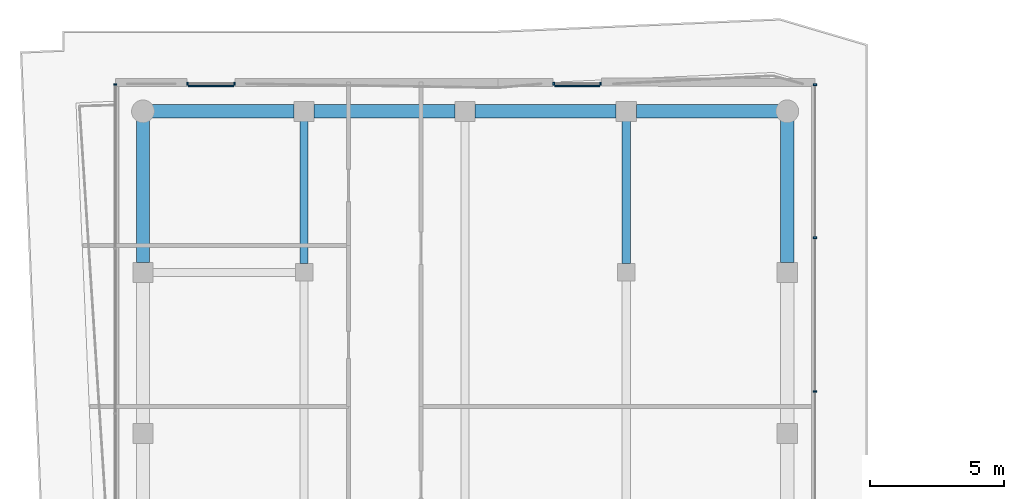
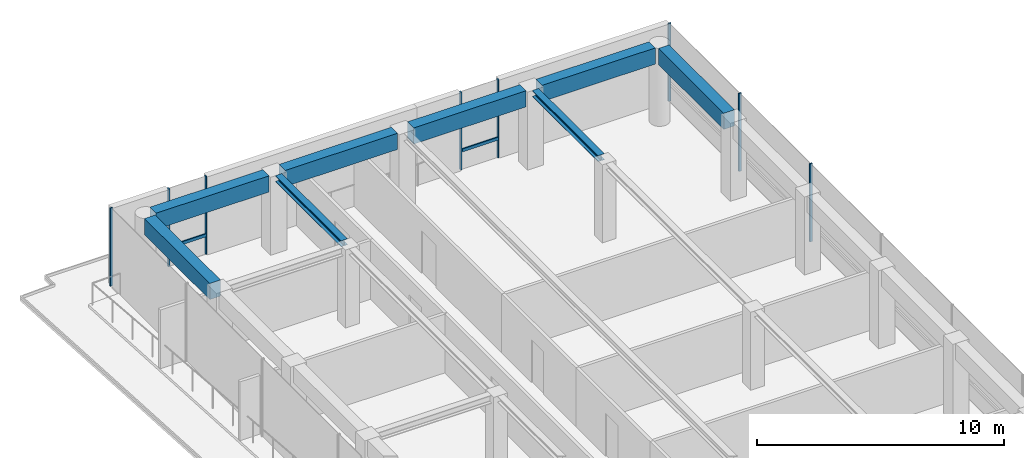
# One storey, part 14 of 20: 10 members, 8 beams, 4 elements without a shape of their own.
"""IFC4 building model written with IfcOpenShell, lengths in metres."""

from ifc_helpers import new_model, si_unit, direction, frame, origin, origin_2d, place, context, subcontext, project, spatial, rectangle, i_section, extrude, material, layer, layer_set, material_profile, profile_set, type_object, element, aggregate, save


model = new_model("IFC4")

# Units and contexts
model_context = context("Model", 3, precision=1e-05, world=origin(), true_north=direction((0.0, 1.0)))
body_context = subcontext(model_context, "Body", "Model", "MODEL_VIEW")
ifc_project = project(units=[si_unit("LENGTHUNIT", "METRE"), si_unit("AREAUNIT", "SQUARE_METRE"), si_unit("VOLUMEUNIT", "CUBIC_METRE"), si_unit("PLANEANGLEUNIT", "RADIAN"), si_unit("MASSUNIT", "GRAM", prefix="KILO")], contexts=[model_context])

# Site, building, storey
site_placement = place(None, origin())
site = spatial("IfcSite", under=ifc_project, at=site_placement, CompositionType="ELEMENT")
building_placement = place(site_placement, origin())
building = spatial("IfcBuilding", under=site, at=building_placement, Name="Welwitschia Terrace Campus", CompositionType="ELEMENT")
storey_placement = place(building_placement, frame((0.0, 0.0, 297.800048828125)))
storey = spatial("IfcBuildingStorey", under=building, at=storey_placement, Name="L66", CompositionType="ELEMENT", Elevation=297.800048828125)

# Beams
ifc_material_1 = material(Name="Steel S355", Category="steel")
ifc_material_profile_1 = material_profile(ifc_material_1, i_section(OverallWidth=0.300048828125, OverallDepth=0.300048828125, WebThickness=0.010986328125, FlangeThickness=0.01904296875, FilletRadius=0.027099609375, at=origin_2d()))
ifc_profile_set_1 = profile_set([ifc_material_profile_1], Name="Steel S355")
beam_type_1 = type_object("IfcBeamType", Name="Interior girder HE 300 B", PredefinedType="BEAM", material=ifc_profile_set_1)
for number, where, z_axis, x_axis, name in (
    (1, (6.0, 56.325439453125, 3.699951171875), (0.0, 1.0, 0.0), (-1.0, 0.0, 0.0), "Girder GB6"),
    (2, (18.0, 56.325439453125, 3.699951171875), (0.0, 1.0, 0.0), (-1.0, 0.0, 0.0), "Girder GB6"),
):
    element("IfcBeam", number, at=place(storey_placement, frame(where, z_axis=z_axis, x_axis=x_axis)), inside=storey, type_object=beam_type_1, Name=name, PredefinedType="BEAM", context=body_context, shape_type="SweptSolid", body=[
        extrude(i_section(OverallWidth=0.300048828125, OverallDepth=0.300048828125, WebThickness=0.010986328125, FlangeThickness=0.01904296875, FilletRadius=0.027099609375, at=origin_2d()), origin(), (0.0, 0.0, 1.0), 5.30908203125),
    ])

# Curtain wall, members
ifc_material_2 = material(Name="Bronze anodised aluminium", Category="aluminium")
ifc_layer = layer(ifc_material_2, 0.1201171875)
ifc_layer_set = layer_set([ifc_layer], Name="Bronze anodised aluminium")
curtain_wall_type = type_object("IfcCurtainWallType", Name="Curtain wall CW2 tower 6000", PredefinedType="NOTDEFINED", material=ifc_layer_set)
curtain_wall_1_placement = place(storey_placement, origin())
curtain_wall_1 = element("IfcCurtainWall", 3, at=curtain_wall_1_placement, inside=storey, type_object=curtain_wall_type, Name="CW L66.6.0", PredefinedType="NOTDEFINED")
ifc_material_3 = material(Name="Bronze anodised aluminium", Category="aluminium")
ifc_material_profile_2 = material_profile(ifc_material_3, rectangle(XDim=0.1201171875, YDim=0.06005859375, at=origin_2d()))
ifc_profile_set_2 = profile_set([ifc_material_profile_2], Name="Bronze anodised aluminium")
member_type_1 = type_object("IfcMemberType", Name="Mullion 60x120", PredefinedType="MULLION", material=ifc_profile_set_2)
member_1_placement = place(storey_placement, frame((25.030029296875, 51.55810546875, 0.0), z_axis=(0.0, 0.0, 1.0), x_axis=(-1.0, 0.0, 0.0)))
member_1 = element("IfcMember", 4, at=member_1_placement, type_object=member_type_1, Name="Mullion L66.6.0.4", PredefinedType="MULLION", context=body_context, shape_type="SweptSolid", body=[
    extrude(rectangle(XDim=0.1201171875, YDim=0.06005859375, at=origin_2d()), origin(), (0.0, 0.0, 1.0), 3.849853515625),
])
member_2_placement = place(storey_placement, frame((25.030029296875, 57.290283203125, 0.0), z_axis=(0.0, 0.0, 1.0), x_axis=(-1.0, 0.0, 0.0)))
member_2 = element("IfcMember", 5, at=member_2_placement, type_object=member_type_1, Name="Mullion L66.6.0.5", PredefinedType="MULLION", context=body_context, shape_type="SweptSolid", body=[
    extrude(rectangle(XDim=0.1201171875, YDim=0.06005859375, at=origin_2d()), origin(), (0.0, 0.0, 1.0), 3.849853515625),
])
member_3_placement = place(storey_placement, frame((25.030029296875, 62.992431640625, 0.0), z_axis=(0.0, 0.0, 1.0), x_axis=(-1.0, 0.0, 0.0)))
member_3 = element("IfcMember", 6, at=member_3_placement, type_object=member_type_1, Name="Mullion L66.6.0.6", PredefinedType="MULLION", context=body_context, shape_type="SweptSolid", body=[
    extrude(rectangle(XDim=0.1201171875, YDim=0.06005859375, at=origin_2d()), origin(), (0.0, 0.0, 1.0), 3.849853515625),
])
aggregate(curtain_wall_1, [member_1, member_2, member_3])

curtain_wall_2_placement = place(storey_placement, origin())
curtain_wall_2 = element("IfcCurtainWall", 7, at=curtain_wall_2_placement, inside=storey, type_object=curtain_wall_type, Name="CW L66.7.S0", PredefinedType="NOTDEFINED")
member_4_placement = place(storey_placement, frame((17.040283203125, 63.027587890625, 0.0), z_axis=(0.0, 0.0, 1.0), x_axis=(-0.000640473955, -0.999999794897, 0.0)))
member_4 = element("IfcMember", 8, at=member_4_placement, type_object=member_type_1, Name="Mullion L66.7.S0.0", PredefinedType="MULLION", context=body_context, shape_type="SweptSolid", body=[
    extrude(rectangle(XDim=0.1201171875, YDim=0.06005859375, at=origin_2d()), origin(), (0.0, 0.0, 1.0), 3.849853515625),
])
member_5_placement = place(storey_placement, frame((15.30029296875, 63.028564453125, 0.0), z_axis=(0.0, 0.0, 1.0), x_axis=(-0.000640473955, -0.999999794897, 0.0)))
member_5 = element("IfcMember", 9, at=member_5_placement, type_object=member_type_1, Name="Mullion L66.7.S0.1", PredefinedType="MULLION", context=body_context, shape_type="SweptSolid", body=[
    extrude(rectangle(XDim=0.1201171875, YDim=0.06005859375, at=origin_2d()), origin(), (0.0, 0.0, 1.0), 3.849853515625),
])

curtain_wall_3_placement = place(storey_placement, origin())
curtain_wall_3 = element("IfcCurtainWall", 10, at=curtain_wall_3_placement, inside=storey, type_object=curtain_wall_type, Name="CW L66.8.S0", PredefinedType="NOTDEFINED")
member_6_placement = place(storey_placement, frame((3.40185546875, 63.030029296875, 0.0), z_axis=(0.0, 0.0, 1.0), x_axis=(0.0, -1.0, 0.0)))
member_6 = element("IfcMember", 11, at=member_6_placement, type_object=member_type_1, Name="Mullion L66.8.S0.0", PredefinedType="MULLION", context=body_context, shape_type="SweptSolid", body=[
    extrude(rectangle(XDim=0.1201171875, YDim=0.06005859375, at=origin_2d()), origin(), (0.0, 0.0, 1.0), 3.849853515625),
])
member_7_placement = place(storey_placement, frame((1.661865234375, 63.030029296875, 0.0), z_axis=(0.0, 0.0, 1.0), x_axis=(0.0, -1.0, 0.0)))
member_7 = element("IfcMember", 12, at=member_7_placement, type_object=member_type_1, Name="Mullion L66.8.S0.1", PredefinedType="MULLION", context=body_context, shape_type="SweptSolid", body=[
    extrude(rectangle(XDim=0.1201171875, YDim=0.06005859375, at=origin_2d()), origin(), (0.0, 0.0, 1.0), 3.849853515625),
])

# Curtain wall, member
curtain_wall_4_placement = place(storey_placement, origin())
curtain_wall_4 = element("IfcCurtainWall", 13, at=curtain_wall_4_placement, inside=storey, type_object=curtain_wall_type, Name="CW L66.9.0", PredefinedType="NOTDEFINED")
member_8_placement = place(storey_placement, frame((-1.030029296875, 63.0, 0.0), z_axis=(0.0, 0.0, 1.0), x_axis=(1.0, 0.0, 0.0)))
member_8 = element("IfcMember", 14, at=member_8_placement, type_object=member_type_1, Name="Mullion L66.9.0.0", PredefinedType="MULLION", context=body_context, shape_type="SweptSolid", body=[
    extrude(rectangle(XDim=0.1201171875, YDim=0.06005859375, at=origin_2d()), origin(), (0.0, 0.0, 1.0), 3.849853515625),
])
aggregate(curtain_wall_4, [member_8])

# Beams
ifc_material_4 = material(Name="Concrete C50/60", Category="concrete")
ifc_material_profile_3 = material_profile(ifc_material_4, rectangle(XDim=0.5, YDim=0.800048828125, at=origin_2d()))
ifc_profile_set_3 = profile_set([ifc_material_profile_3], Name="Concrete C50/60")
beam_type_2 = type_object("IfcBeamType", Name="Ring spandrel 500x800", PredefinedType="SPANDREL", material=ifc_profile_set_3)
for number, where, z_axis, x_axis, name in (
    (15, (24.0, 56.37548828125, 3.449951171875), (0.0, 1.0, 0.0), (-1.0, 0.0, 0.0), "Spandrel SP4"),
    (16, (23.655517578125, 62.0, 3.449951171875), (-1.0, 0.0, 0.0), (0.0, -1.0, 0.0), "Spandrel SP4"),
):
    element("IfcBeam", number, at=place(storey_placement, frame(where, z_axis=z_axis, x_axis=x_axis)), inside=storey, type_object=beam_type_2, Name=name, PredefinedType="SPANDREL", context=body_context, shape_type="SweptSolid", body=[
        extrude(rectangle(XDim=0.5, YDim=0.800048828125, at=origin_2d()), origin(), (0.0, 0.0, 1.0), 5.280029296875),
    ])
for number, where, z_axis, x_axis, name in (
    (17, (17.62451171875, 62.0, 3.449951171875), (-1.0, 0.0, 0.0), (0.0, -1.0, 0.0), "Spandrel SP4"),
    (18, (11.62451171875, 62.0, 3.449951171875), (-1.0, 0.0, 0.0), (0.0, -1.0, 0.0), "Spandrel SP4"),
):
    element("IfcBeam", number, at=place(storey_placement, frame(where, z_axis=z_axis, x_axis=x_axis)), inside=storey, type_object=beam_type_2, Name=name, PredefinedType="SPANDREL", context=body_context, shape_type="SweptSolid", body=[
        extrude(rectangle(XDim=0.5, YDim=0.800048828125, at=origin_2d()), origin(), (0.0, 0.0, 1.0), 5.2490234375),
    ])
for number, where, z_axis, x_axis, name in (
    (19, (5.62451171875, 62.0, 3.449951171875), (-1.0, 0.0, 0.0), (0.0, -1.0, 0.0), "Spandrel SP4"),
    (20, (0.0, 61.655517578125, 3.449951171875), (0.0, -1.0, 0.0), (1.0, 0.0, 0.0), "Spandrel SP4"),
):
    element("IfcBeam", number, at=place(storey_placement, frame(where, z_axis=z_axis, x_axis=x_axis)), inside=storey, type_object=beam_type_2, Name=name, PredefinedType="SPANDREL", context=body_context, shape_type="SweptSolid", body=[
        extrude(rectangle(XDim=0.5, YDim=0.800048828125, at=origin_2d()), origin(), (0.0, 0.0, 1.0), 5.280029296875),
    ])

# Member
ifc_material_5 = material(Name="Bronze anodised aluminium", Category="aluminium")
ifc_material_profile_4 = material_profile(ifc_material_5, rectangle(XDim=0.06005859375, YDim=0.14990234375, at=origin_2d()))
ifc_profile_set_4 = profile_set([ifc_material_profile_4], Name="Bronze anodised aluminium")
member_type_2 = type_object("IfcMemberType", Name="Transom 60x150", PredefinedType="USERDEFINED", material=ifc_profile_set_4)
member_9_placement = place(storey_placement, frame((17.01025390625, 62.9375, 1.0), z_axis=(-0.999999735998, 0.000726638378, 0.0), x_axis=(-0.000726638378, -0.999999735998, 0.0)))
member_9 = element("IfcMember", 21, at=member_9_placement, type_object=member_type_2, Name="Transom L66.7.S0", ObjectType="TRANSOM", PredefinedType="USERDEFINED", context=body_context, shape_type="SweptSolid", body=[
    extrude(rectangle(XDim=0.06005859375, YDim=0.14990234375, at=origin_2d()), origin(), (0.0, 0.0, 1.0), 1.679931640625),
])

aggregate(curtain_wall_2, [member_4, member_5, member_9])

member_10_placement = place(storey_placement, frame((3.371826171875, 62.93994140625, 1.0), z_axis=(-1.0, 0.0, 0.0), x_axis=(0.0, -1.0, 0.0)))
member_10 = element("IfcMember", 22, at=member_10_placement, type_object=member_type_2, Name="Transom L66.8.S0", ObjectType="TRANSOM", PredefinedType="USERDEFINED", context=body_context, shape_type="SweptSolid", body=[
    extrude(rectangle(XDim=0.06005859375, YDim=0.14990234375, at=origin_2d()), origin(), (0.0, 0.0, 1.0), 1.679931640625),
])

aggregate(curtain_wall_3, [member_6, member_7, member_10])

save(model, "model.ifc")
